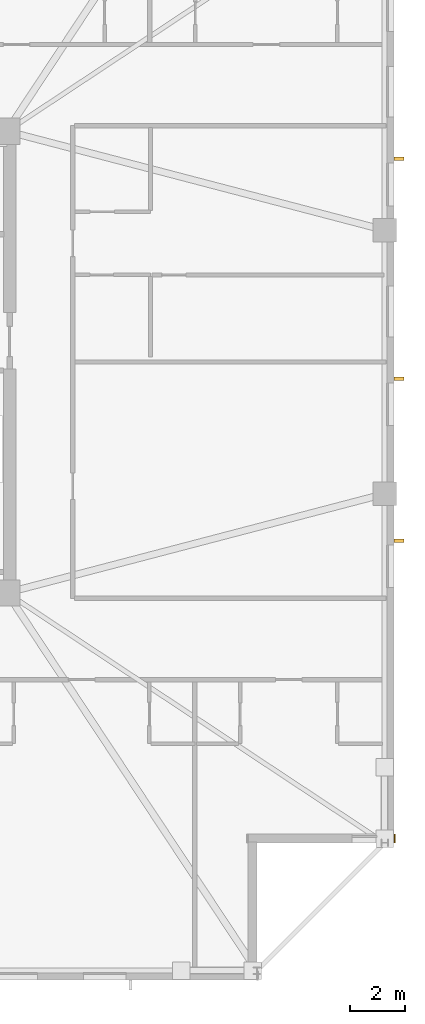
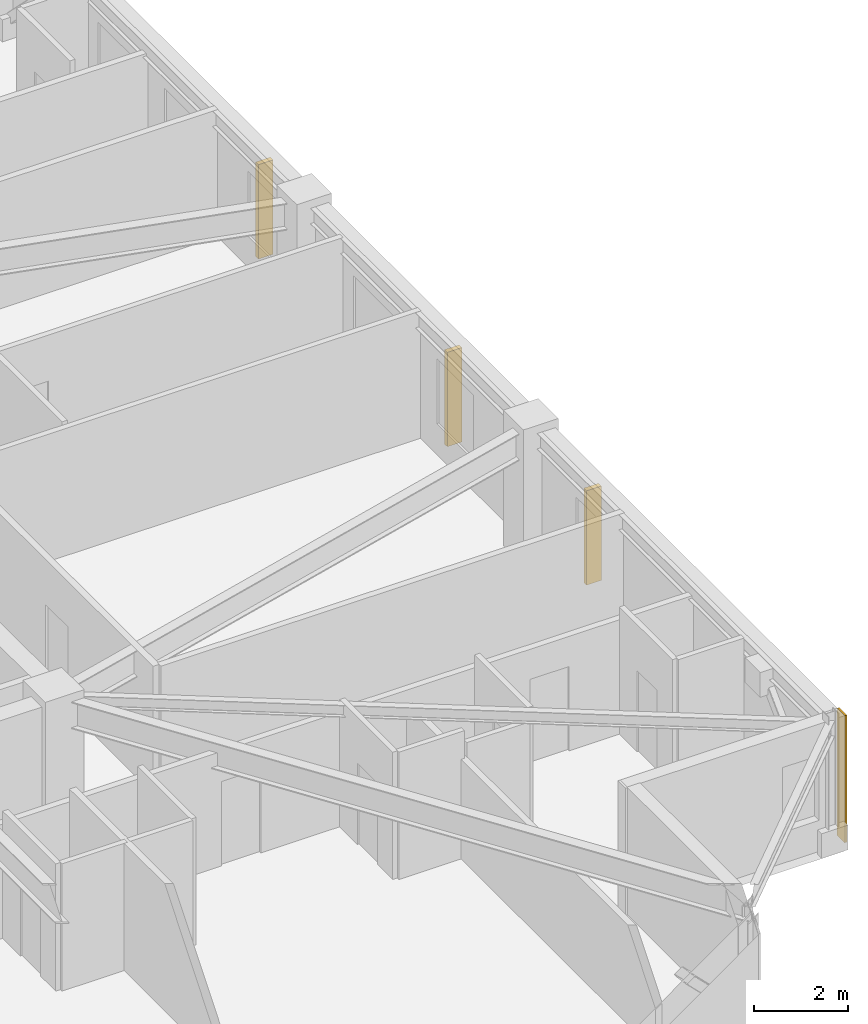
# One storey, part 15 of 17: 3 shading devices, 1 covering.
"""IFC4 building model written with IfcOpenShell, lengths in metres."""

import ifcopenshell
import ifcopenshell.guid

model = None  # the IFC model being written
_history = None  # IfcOwnerHistory: only IFC2X3 demands one
_inside = {}  # id of a spatial element -> (the spatial element, [elements in it])
_under = {}  # id of a project, library or spatial element -> (it, [spatial elements below it])
_declared = {}  # id of a project -> (the project, [libraries it declares])
_typed = {}  # id of a type object -> (the type object, [elements of that type])
_made_of = {}  # id of a material, layer set ... -> (it, [elements and type objects made of it])


def new_model(schema):
    """Start an empty IFC model of exactly this schema.

    Asked for "IFC4X3", IfcOpenShell would pick the latest addendum, in which some entities
    have other attributes; the version numbers below select the first issue.
    IFC2X3 requires an IfcOwnerHistory on every rooted entity: one is made here for all.
    """
    global model, _history
    if schema == "IFC4X3":
        model = ifcopenshell.file(schema_version=(4, 3, 0, 0))
    else:
        model = ifcopenshell.file(schema=schema)
    _inside.clear()
    _under.clear()
    _declared.clear()
    _typed.clear()
    _made_of.clear()
    _history = None
    if model.schema == "IFC2X3":
        org = make("IfcOrganization", Name="unknown")
        user = make(
            "IfcPersonAndOrganization",
            ThePerson=make("IfcPerson", FamilyName="unknown"),
            TheOrganization=org,
        )
        app = make(
            "IfcApplication",
            ApplicationDeveloper=org,
            Version="unknown",
            ApplicationFullName="unknown",
            ApplicationIdentifier="unknown",
        )
        _history = make(
            "IfcOwnerHistory",
            OwningUser=user,
            OwningApplication=app,
            ChangeAction="ADDED",
            CreationDate=0,
        )
    return model


def make(cls, **values):
    """One entity of the class cls with the attributes given. An attribute that is None is left unset."""
    return model.create_entity(
        cls, **{name: value for name, value in values.items() if value is not None}
    )


def rooted(cls, **values):
    """An entity with a GlobalId (a new one), such as an element, a storey or a relation."""
    return make(cls, GlobalId=ifcopenshell.guid.new(), OwnerHistory=_history, **values)


def si_unit(unit_type, name, prefix=None):
    """IfcSIUnit, for example si_unit("LENGTHUNIT", "METRE", prefix="MILLI")."""
    return make("IfcSIUnit", UnitType=unit_type, Prefix=prefix, Name=name)


def assignment(units):
    """IfcUnitAssignment: the units of a project."""
    return None if units is None else make("IfcUnitAssignment", Units=units)


def point(xyz):
    """IfcCartesianPoint."""
    return None if xyz is None else make("IfcCartesianPoint", Coordinates=xyz)


def direction(xyz):
    """IfcDirection."""
    return None if xyz is None else make("IfcDirection", DirectionRatios=xyz)


def frame(location, z_axis=None, x_axis=None):
    """IfcAxis2Placement3D, a coordinate frame: its origin and axes. An axis left out is left unset."""
    return make(
        "IfcAxis2Placement3D",
        Location=point(location),
        Axis=direction(z_axis),
        RefDirection=direction(x_axis),
    )


def frame_2d(location, x_axis=None):
    """IfcAxis2Placement2D, a coordinate frame in the plane: its origin and x axis."""
    return make(
        "IfcAxis2Placement2D", Location=point(location), RefDirection=direction(x_axis)
    )


def origin():
    """The frame at (0, 0, 0) with its axes left unset."""
    return frame((0.0, 0.0, 0.0))


def origin_2d():
    """The frame at (0, 0) in the plane with its x axis left unset."""
    return frame_2d((0.0, 0.0))


def place(relative_to, where):
    """IfcLocalPlacement: puts the frame where relative to a parent placement (None: the world)."""
    return make(
        "IfcLocalPlacement", PlacementRelTo=relative_to, RelativePlacement=where
    )


def context(
    kind, dimensions, precision=None, world=None, true_north=None, identifier=None
):
    """IfcGeometricRepresentationContext, for example the 3D "Model" context."""
    return make(
        "IfcGeometricRepresentationContext",
        ContextIdentifier=identifier,
        ContextType=kind,
        CoordinateSpaceDimension=dimensions,
        Precision=precision,
        WorldCoordinateSystem=world,
        TrueNorth=true_north,
    )


def subcontext(parent, identifier, kind, view, scale=None):
    """IfcGeometricRepresentationSubContext, for example "Body" below "Model"."""
    return make(
        "IfcGeometricRepresentationSubContext",
        ContextIdentifier=identifier,
        ContextType=kind,
        ParentContext=parent,
        TargetScale=scale,
        TargetView=view,
    )


def project(units=None, contexts=None):
    """IfcProject with its units and contexts."""
    return rooted(
        "IfcProject",
        Name="project",
        RepresentationContexts=contexts,
        UnitsInContext=assignment(units),
    )


def spatial(cls, under=None, at=None, **own):
    """A site, building, storey or space (cls), placed at a placement, below another one or the project."""
    s = rooted(cls, ObjectPlacement=at, **own)
    if under is not None:
        _under.setdefault(under.id(), (under, []))[1].append(s)
    return s


def profile(cls, at=None, kind="AREA", **sizes):
    """A parametric profile (cls). Its sizes go by their IFC names, for example OverallWidth=200.0."""
    return make(cls, ProfileType=kind, Position=at, **sizes)


def rectangle(**sizes):
    """IfcRectangleProfileDef."""
    return profile("IfcRectangleProfileDef", **sizes)


def extrude(swept, where, along, depth):
    """IfcExtrudedAreaSolid: the profile swept, set in the frame where, extruded along a direction by depth."""
    return make(
        "IfcExtrudedAreaSolid",
        SweptArea=swept,
        Position=where,
        ExtrudedDirection=direction(along),
        Depth=depth,
    )


def shape(context_of_items, identifier, shape_type, items):
    """IfcShapeRepresentation: the items that make up one representation, for example the "Body"."""
    return make(
        "IfcShapeRepresentation",
        ContextOfItems=context_of_items,
        RepresentationIdentifier=identifier,
        RepresentationType=shape_type,
        Items=items,
    )


def material(Name=None, Category=None):
    """IfcMaterial."""
    return make("IfcMaterial", Name=Name, Category=Category)


def layer(
    of_material, thickness, ventilated=None, Name=None, Category=None, Priority=None
):
    """IfcMaterialLayer: one layer of a wall or slab, of a material (None: an air gap)."""
    return make(
        "IfcMaterialLayer",
        Material=of_material,
        LayerThickness=thickness,
        IsVentilated=ventilated,
        Name=Name,
        Category=Category,
        Priority=Priority,
    )


def layer_set(layers, Name=None):
    """IfcMaterialLayerSet."""
    return make("IfcMaterialLayerSet", MaterialLayers=layers, LayerSetName=Name)


def made_of(thing, what):
    """Note that an element or type object is made of a material, layer set ...; save() writes the relation."""
    if what is not None:
        _made_of.setdefault(what.id(), (what, []))[1].append(thing)
    return thing


def type_object(cls, material=None, **own):
    """A type object (cls), such as IfcWallType, which elements share."""
    return made_of(rooted(cls, **own), material)


def element(
    cls,
    number,
    at=None,
    inside=None,
    cuts=None,
    type_object=None,
    material=None,
    context=None,
    identifier="Body",
    shape_type=None,
    held_by="IfcProductDefinitionShape",
    body=None,
    shapes=None,
    **own,
):
    """One element of the class cls, such as IfcWall. Its Tag is "e" and its number.

    at: its placement. inside: the storey or other place that contains it. cuts: it is an
    opening in that element (IfcRelVoidsElement). A single representation is given by context,
    identifier, shape_type and body (its items); several are given by shapes. held_by: the class
    of the entity that holds the representations. save() writes the other relations.
    """
    e = rooted(cls, Tag="e%d" % number, ObjectPlacement=at, **own)
    if body is not None:
        shapes = [shape(context, identifier, shape_type, body)]
    if shapes is not None:
        e.Representation = make(held_by, Representations=shapes)
    if inside is not None:
        _inside.setdefault(inside.id(), (inside, []))[1].append(e)
    if cuts is not None:
        rooted(
            "IfcRelVoidsElement", RelatingBuildingElement=cuts, RelatedOpeningElement=e
        )
    if type_object is not None:
        _typed.setdefault(type_object.id(), (type_object, []))[1].append(e)
    return made_of(e, material)


def aggregate(whole, parts):
    """IfcRelAggregates: a whole, such as a stair, and the parts it consists of."""
    return rooted("IfcRelAggregates", RelatingObject=whole, RelatedObjects=parts)


def save(model, path):
    """Write the relations noted so far, then the file.

    IfcRelAggregates (storeys below a building ...), IfcRelContainedInSpatialStructure (elements
    in a storey), IfcRelDefinesByType, IfcRelAssociatesMaterial and IfcRelDeclares: one each for
    every whole, place, type object, material and project.
    """
    for whole, parts in _under.values():
        aggregate(whole, parts)
    for where, things in _inside.values():
        rooted(
            "IfcRelContainedInSpatialStructure",
            RelatedElements=things,
            RelatingStructure=where,
        )
    for kind, things in _typed.values():
        rooted("IfcRelDefinesByType", RelatedObjects=things, RelatingType=kind)
    for what, things in _made_of.values():
        rooted("IfcRelAssociatesMaterial", RelatedObjects=things, RelatingMaterial=what)
    for by, libraries in _declared.values():
        rooted("IfcRelDeclares", RelatingContext=by, RelatedDefinitions=libraries)
    model.write(path)


model = new_model("IFC4")

# Units and contexts
model_context = context("Model", 3, precision=1e-05, world=origin(), true_north=direction((0.0, 1.0)))
body_context = subcontext(model_context, "Body", "Model", "MODEL_VIEW")
ifc_project = project(units=[si_unit("LENGTHUNIT", "METRE"), si_unit("AREAUNIT", "SQUARE_METRE"), si_unit("VOLUMEUNIT", "CUBIC_METRE"), si_unit("PLANEANGLEUNIT", "RADIAN"), si_unit("MASSUNIT", "GRAM", prefix="KILO")], contexts=[model_context])

# Site, building, storey
site_placement = place(None, origin())
site = spatial("IfcSite", under=ifc_project, at=site_placement, CompositionType="ELEMENT")
building_placement = place(site_placement, origin())
building = spatial("IfcBuilding", under=site, at=building_placement, Name="Cairnveth Concourse Tower", CompositionType="ELEMENT")
storey_placement = place(building_placement, frame((0.0, 0.0, 234.0)))
storey = spatial("IfcBuildingStorey", under=building, at=storey_placement, Name="L64", CompositionType="ELEMENT", Elevation=234.0)

# Covering
ifc_material_1 = material(Name="Dressed Melbourne Bluestone Cladding", Category="masonry")
ifc_layer = layer(ifc_material_1, 0.050048828125)
ifc_layer_set = layer_set([ifc_layer], Name="Dressed Melbourne Bluestone Cladding")
covering_type = type_object("IfcCoveringType", Name="DRESSED BLUESTONE PLINTH CLADDING 50", PredefinedType="CLADDING", material=ifc_layer_set)
covering_placement = place(storey_placement, frame((74.52001953125, 21.820068359375, 0.0), z_axis=(0.0, 0.0, 1.0), x_axis=(0.0, -1.0, 0.0)))
element("IfcCovering", 1, at=covering_placement, inside=storey, type_object=covering_type, Name="Melbourne Bluestone Corner Quoin L64-966", PredefinedType="CLADDING", context=body_context, shape_type="SweptSolid", body=[
    extrude(rectangle(XDim=0.320068359375, YDim=0.050048828125, at=frame_2d((0.16015625, 0.0))), origin(), (0.0, 0.0, 1.0), 3.2900390625),
])

# Shading devices
ifc_material_2 = material(Name="Architectural Bronze Anodised Aluminium 6063-T6", Category="aluminium")
shading_device_type = type_object("IfcShadingDeviceType", Name="GOTHIC BRONZE VERTICAL LANCET FIN", PredefinedType="USERDEFINED", material=ifc_material_2)
for number, where, z_axis, x_axis, name in (
    (2, (74.675048828125, 46.39697265625, 0.030029296875), (0.0, 0.0, 1.0), (0.0, 1.0, 0.0), "Gothic Bronze Vertical Fin L64-6-3"),
    (3, (74.675048828125, 38.396484375, 0.030029296875), (0.0, 0.0, 1.0), (0.0, 1.0, 0.0), "Gothic Bronze Vertical Fin L64-6-5"),
    (4, (74.675048828125, 32.495849609375, 0.030029296875), (0.0, 0.0, 1.0), (0.0, 1.0, 0.0), "Gothic Bronze Vertical Fin L64-6-7"),
):
    element("IfcShadingDevice", number, at=place(storey_placement, frame(where, z_axis=z_axis, x_axis=x_axis)), inside=storey, type_object=shading_device_type, Name=name, ObjectType="VERTICAL FIN", PredefinedType="USERDEFINED", context=body_context, shape_type="SweptSolid", body=[
        extrude(rectangle(XDim=0.1201171875, YDim=0.360107421875, at=origin_2d()), origin(), (0.0, 0.0, 1.0), 2.43798828125),
    ])

save(model, "model.ifc")
